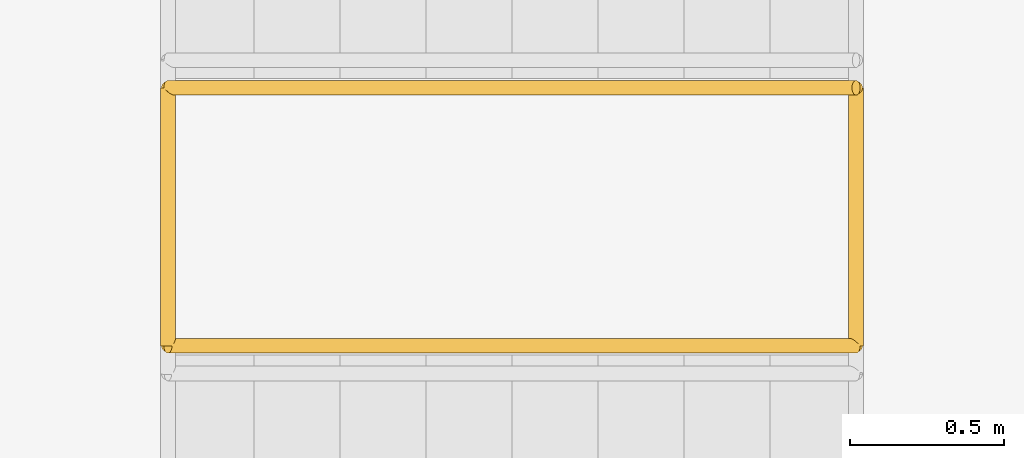
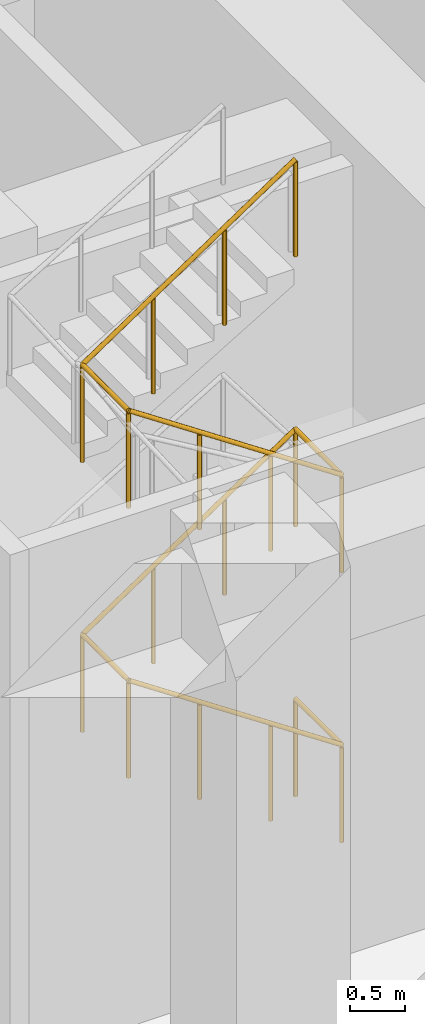
# One storey, part 15 of 16: 1 railing.
"""IFC4 building model written with IfcOpenShell, lengths in metres."""

from ifc_helpers import new_model, si_unit, direction, frame, origin, origin_2d, place, context, subcontext, project, spatial, circle, extrude, material, type_object, element, save


model = new_model("IFC4")

# Units and contexts
model_context = context("Model", 3, precision=1e-05, world=origin(), true_north=direction((0.0, 1.0)))
body_context = subcontext(model_context, "Body", "Model", "MODEL_VIEW")
ifc_project = project(units=[si_unit("LENGTHUNIT", "METRE"), si_unit("AREAUNIT", "SQUARE_METRE"), si_unit("VOLUMEUNIT", "CUBIC_METRE"), si_unit("PLANEANGLEUNIT", "RADIAN"), si_unit("MASSUNIT", "GRAM", prefix="KILO")], contexts=[model_context])

# Site, building, storey
site_placement = place(None, origin())
site = spatial("IfcSite", under=ifc_project, at=site_placement, CompositionType="ELEMENT")
building_placement = place(site_placement, origin())
building = spatial("IfcBuilding", under=site, at=building_placement, Name="Kosmar Iwan School Tower", CompositionType="ELEMENT")
storey_placement = place(building_placement, origin())
storey = spatial("IfcBuildingStorey", under=building, at=storey_placement, Name="L00", CompositionType="ELEMENT", Elevation=0.0)

# Railing
ifc_material = material(Name="Black steel", Category="steel")
railing_type = type_object("IfcRailingType", Name="Stair well guard 1100", PredefinedType="GUARDRAIL", material=ifc_material)
railing_placement = place(storey_placement, frame((-3.5, 27.169921875, 0.0)))
element("IfcRailing", 1, at=railing_placement, inside=storey, type_object=railing_type, Name="Stair WS1 L00 well guard", PredefinedType="GUARDRAIL", context=body_context, shape_type="SweptSolid", body=[
    extrude(circle(Radius=0.02392578125, at=origin_2d()), frame((0.0, 0.0, 1.076171875), z_axis=(0.0, -1.0, 0.0), x_axis=(1.0, 0.0, 0.0)), (0.0, 0.0, 1.0), 0.83984375),
    extrude(circle(Radius=0.02392578125, at=origin_2d()), frame((0.0, -0.83984375, 1.076171875), z_axis=(-0.830906055479, 0.0, 0.556412730775), x_axis=(0.0, -1.0, 0.0)), (0.0, 0.0, 1.0), 2.69580078125),
    extrude(circle(Radius=0.02392578125, at=origin_2d()), frame((-2.239990234375, -0.83984375, 2.576171875), z_axis=(0.0, 1.0, 0.0), x_axis=(-1.0, 0.0, 0.0)), (0.0, 0.0, 1.0), 0.83984375),
    extrude(circle(Radius=0.02392578125, at=origin_2d()), frame((-2.239990234375, 0.0, 2.576171875), z_axis=(0.830906055479, 0.0, 0.556412730775), x_axis=(0.0, 1.0, 0.0)), (0.0, 0.0, 1.0), 2.69580078125),
    extrude(circle(Radius=0.02392578125, at=origin_2d()), frame((0.0, 0.0, 4.076171875), z_axis=(0.0, -1.0, 0.0), x_axis=(1.0, 0.0, 0.0)), (0.0, 0.0, 1.0), 0.83984375),
    extrude(circle(Radius=0.02392578125, at=origin_2d()), frame((0.0, -0.83984375, 4.076171875), z_axis=(-0.830906055479, 0.0, 0.556412730775), x_axis=(0.0, -1.0, 0.0)), (0.0, 0.0, 1.0), 2.69580078125),
    extrude(circle(Radius=0.02392578125, at=origin_2d()), frame((-2.239990234375, -0.83984375, 5.576171875), z_axis=(0.0, 1.0, 0.0), x_axis=(-1.0, 0.0, 0.0)), (0.0, 0.0, 1.0), 0.83984375),
    extrude(circle(Radius=0.02392578125, at=origin_2d()), frame((-2.239990234375, 0.0, 5.576171875), z_axis=(0.830906055479, 0.0, 0.556412730775), x_axis=(0.0, 1.0, 0.0)), (0.0, 0.0, 1.0), 2.69580078125),
    extrude(circle(Radius=0.02099609375, at=origin_2d()), origin(), (0.0, 0.0, 1.0), 1.052001953125),
    extrude(circle(Radius=0.02099609375, at=origin_2d()), frame((0.0, -0.83984375, 0.0)), (0.0, 0.0, 1.0), 1.052001953125),
    extrude(circle(Radius=0.02099609375, at=origin_2d()), frame((-0.74658203125, -0.83984375, 0.5)), (0.0, 0.0, 1.0), 1.052001953125),
    extrude(circle(Radius=0.02099609375, at=origin_2d()), frame((-1.493408203125, -0.83984375, 1.0)), (0.0, 0.0, 1.0), 1.052001953125),
    extrude(circle(Radius=0.02099609375, at=origin_2d()), frame((-2.239990234375, -0.83984375, 1.5)), (0.0, 0.0, 1.0), 1.052001953125),
    extrude(circle(Radius=0.02099609375, at=origin_2d()), frame((-2.239990234375, 0.0, 1.5)), (0.0, 0.0, 1.0), 1.052001953125),
    extrude(circle(Radius=0.02099609375, at=origin_2d()), frame((-1.493408203125, 0.0, 2.0)), (0.0, 0.0, 1.0), 1.052001953125),
    extrude(circle(Radius=0.02099609375, at=origin_2d()), frame((-0.74658203125, 0.0, 2.5)), (0.0, 0.0, 1.0), 1.052001953125),
    extrude(circle(Radius=0.02099609375, at=origin_2d()), frame((0.0, 0.0, 3.0)), (0.0, 0.0, 1.0), 1.052001953125),
    extrude(circle(Radius=0.02099609375, at=origin_2d()), frame((0.0, -0.83984375, 3.0)), (0.0, 0.0, 1.0), 1.052001953125),
    extrude(circle(Radius=0.02099609375, at=origin_2d()), frame((-0.74658203125, -0.83984375, 3.5)), (0.0, 0.0, 1.0), 1.052001953125),
    extrude(circle(Radius=0.02099609375, at=origin_2d()), frame((-1.493408203125, -0.83984375, 4.0)), (0.0, 0.0, 1.0), 1.052001953125),
    extrude(circle(Radius=0.02099609375, at=origin_2d()), frame((-2.239990234375, -0.83984375, 4.5)), (0.0, 0.0, 1.0), 1.052001953125),
    extrude(circle(Radius=0.02099609375, at=origin_2d()), frame((-2.239990234375, 0.0, 4.5)), (0.0, 0.0, 1.0), 1.052001953125),
    extrude(circle(Radius=0.02099609375, at=origin_2d()), frame((-1.493408203125, 0.0, 5.0)), (0.0, 0.0, 1.0), 1.052001953125),
    extrude(circle(Radius=0.02099609375, at=origin_2d()), frame((-0.74658203125, 0.0, 5.5)), (0.0, 0.0, 1.0), 1.052001953125),
    extrude(circle(Radius=0.02099609375, at=origin_2d()), frame((0.0, 0.0, 6.0)), (0.0, 0.0, 1.0), 1.052001953125),
])

save(model, "model.ifc")
